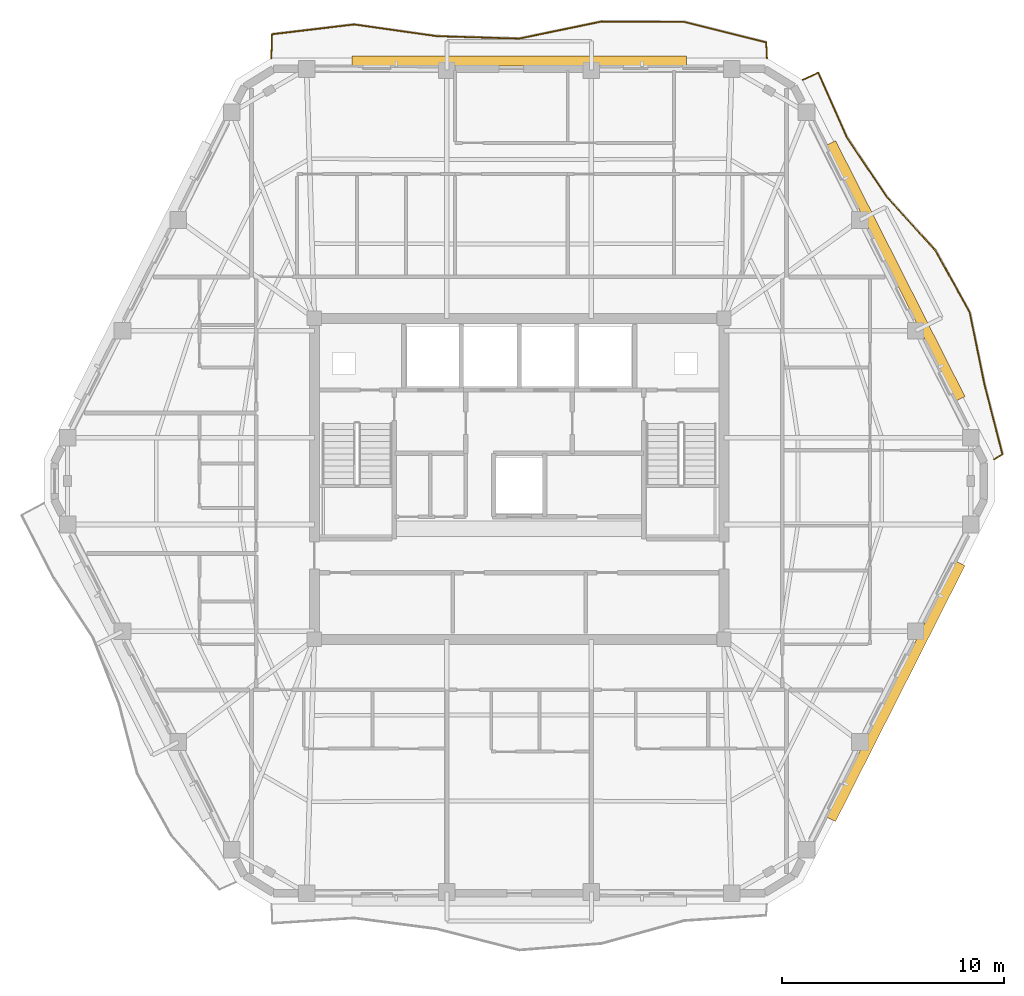
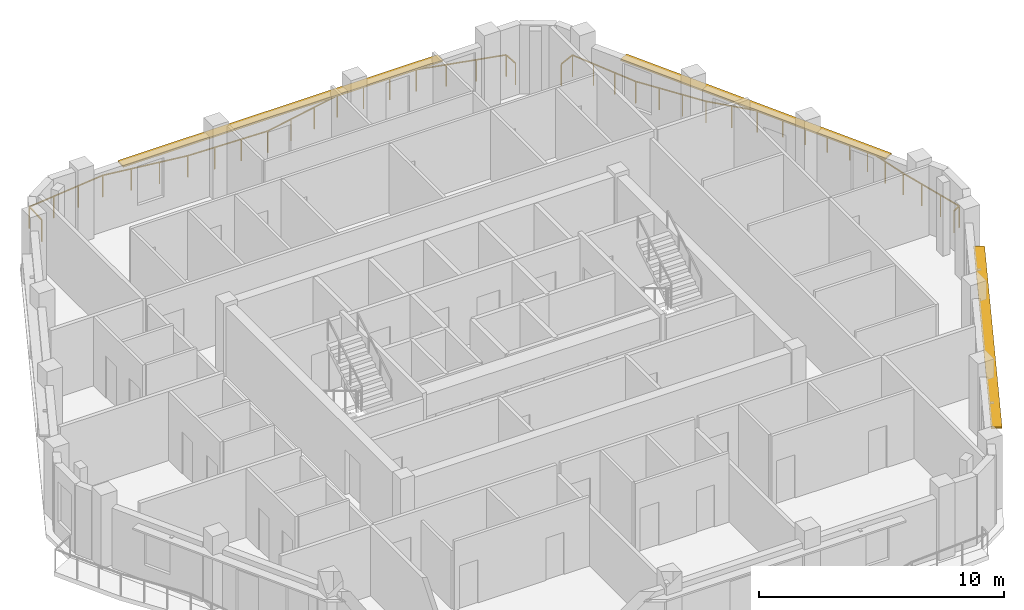
# One storey, part 11 of 11: 3 shading devices, 2 railings.
"""IFC4 building model written with IfcOpenShell, lengths in metres."""

from ifc_helpers import new_model, si_unit, direction, frame, origin, origin_2d, place, context, subcontext, project, spatial, rectangle, extrude, material, layer, layer_set, type_object, element, save


model = new_model("IFC4")

# Units and contexts
model_context = context("Model", 3, precision=1e-05, world=origin(), true_north=direction((0.0, 1.0)))
body_context = subcontext(model_context, "Body", "Model", "MODEL_VIEW")
ifc_project = project(units=[si_unit("LENGTHUNIT", "METRE"), si_unit("AREAUNIT", "SQUARE_METRE"), si_unit("VOLUMEUNIT", "CUBIC_METRE"), si_unit("PLANEANGLEUNIT", "RADIAN"), si_unit("MASSUNIT", "GRAM", prefix="KILO")], contexts=[model_context])

# Site, building, storey
site_placement = place(None, origin())
site = spatial("IfcSite", under=ifc_project, at=site_placement, CompositionType="ELEMENT")
building_placement = place(site_placement, origin())
building = spatial("IfcBuilding", under=site, at=building_placement, Name="Cinnabar Lancet Tower", CompositionType="ELEMENT")
storey_placement = place(building_placement, frame((0.0, 0.0, 241.60009765625)))
storey = spatial("IfcBuildingStorey", under=building, at=storey_placement, Name="L64", CompositionType="ELEMENT", Elevation=241.60009765625)

# Railings
ifc_material_1 = material(Name="Laminated safety glass and bronze stainless steel balustrade", Category="steel")
railing_type = type_object("IfcRailingType", Name="ENV-RLG-BAL-1100", PredefinedType="BALUSTRADE", material=ifc_material_1)
railing_1_placement = place(storey_placement, frame((53.802978515625, 26.781982421875, 0.0)))
element("IfcRailing", 1, at=railing_1_placement, inside=storey, type_object=railing_type, Name="L64 Face 3 Wave Balcony Balustrade", PredefinedType="BALUSTRADE", context=body_context, shape_type="SweptSolid", body=[
    extrude(rectangle(XDim=0.048095703125, YDim=0.048095703125, at=origin_2d()), frame((0.0, 0.0, 1.076171875), z_axis=(0.860938023403, 0.508709858228, 0.0), x_axis=(-0.508709858228, 0.860938023403, 0.0)), (0.0, 0.0, 1.0), 0.4228515625),
    extrude(rectangle(XDim=0.048095703125, YDim=0.048095703125, at=origin_2d()), frame((0.364013671875, 0.215087890625, 1.076171875), z_axis=(-0.248894460802, 0.968530612517, 0.0), x_axis=(-0.968530612517, -0.248894460802, 0.0)), (0.0, 0.0, 1.0), 3.258544921875),
    extrude(rectangle(XDim=0.048095703125, YDim=0.048095703125, at=origin_2d()), frame((-0.447021484375, 3.37109375, 1.076171875), z_axis=(-0.200457621099, 0.979702374266, 0.0), x_axis=(-0.979702374266, -0.200457621099, 0.0)), (0.0, 0.0, 1.0), 3.296875),
    extrude(rectangle(XDim=0.048095703125, YDim=0.048095703125, at=origin_2d()), frame((-1.10791015625, 6.60107421875, 1.076171875), z_axis=(-0.482363350712, 0.8759712312, 0.0), x_axis=(-0.8759712312, -0.482363350712, 0.0)), (0.0, 0.0, 1.0), 3.1826171875),
    extrude(rectangle(XDim=0.048095703125, YDim=0.048095703125, at=origin_2d()), frame((-2.64306640625, 9.388916015625, 1.076171875), z_axis=(-0.671810216095, 0.740723317812, 0.0), x_axis=(-0.740723317812, -0.671810216095, 0.0)), (0.0, 0.0, 1.0), 3.29833984375),
    extrude(rectangle(XDim=0.048095703125, YDim=0.048095703125, at=origin_2d()), frame((-4.85888671875, 11.83203125, 1.076171875), z_axis=(-0.55612358327, 0.83109960903, 0.0), x_axis=(-0.83109960903, -0.55612358327, 0.0)), (0.0, 0.0, 1.0), 3.204345703125),
    extrude(rectangle(XDim=0.048095703125, YDim=0.048095703125, at=origin_2d()), frame((-6.640869140625, 14.4951171875, 1.076171875), z_axis=(-0.406031861537, 0.913858920959, 0.0), x_axis=(-0.913858920959, -0.406031861537, 0.0)), (0.0, 0.0, 1.0), 3.1875),
    extrude(rectangle(XDim=0.048095703125, YDim=0.048095703125, at=origin_2d()), frame((-7.93505859375, 17.407958984375, 1.076171875), z_axis=(-0.910054125697, -0.414489430868, 0.0), x_axis=(0.414489430868, -0.910054125697, 0.0)), (0.0, 0.0, 1.0), 0.77685546875),
    extrude(rectangle(XDim=0.0419921875, YDim=0.0419921875, at=origin_2d()), origin(), (0.0, 0.0, 1.0), 1.052001953125),
    extrude(rectangle(XDim=0.0419921875, YDim=0.0419921875, at=origin_2d()), frame((0.364013671875, 0.215087890625, 0.0)), (0.0, 0.0, 1.0), 1.052001953125),
    extrude(rectangle(XDim=0.0419921875, YDim=0.0419921875, at=origin_2d()), frame((0.09375, 1.26708984375, 0.0)), (0.0, 0.0, 1.0), 1.052001953125),
    extrude(rectangle(XDim=0.0419921875, YDim=0.0419921875, at=origin_2d()), frame((-0.1767578125, 2.319091796875, 0.0)), (0.0, 0.0, 1.0), 1.052001953125),
    extrude(rectangle(XDim=0.0419921875, YDim=0.0419921875, at=origin_2d()), frame((-0.447021484375, 3.37109375, 0.0)), (0.0, 0.0, 1.0), 1.052001953125),
    extrude(rectangle(XDim=0.0419921875, YDim=0.0419921875, at=origin_2d()), frame((-0.667236328125, 4.44775390625, 0.0)), (0.0, 0.0, 1.0), 1.052001953125),
    extrude(rectangle(XDim=0.0419921875, YDim=0.0419921875, at=origin_2d()), frame((-0.8876953125, 5.5244140625, 0.0)), (0.0, 0.0, 1.0), 1.052001953125),
    extrude(rectangle(XDim=0.0419921875, YDim=0.0419921875, at=origin_2d()), frame((-1.10791015625, 6.60107421875, 0.0)), (0.0, 0.0, 1.0), 1.052001953125),
    extrude(rectangle(XDim=0.0419921875, YDim=0.0419921875, at=origin_2d()), frame((-1.61962890625, 7.5302734375, 0.0)), (0.0, 0.0, 1.0), 1.052001953125),
    extrude(rectangle(XDim=0.0419921875, YDim=0.0419921875, at=origin_2d()), frame((-2.13134765625, 8.459716796875, 0.0)), (0.0, 0.0, 1.0), 1.052001953125),
    extrude(rectangle(XDim=0.0419921875, YDim=0.0419921875, at=origin_2d()), frame((-2.64306640625, 9.388916015625, 0.0)), (0.0, 0.0, 1.0), 1.052001953125),
    extrude(rectangle(XDim=0.0419921875, YDim=0.0419921875, at=origin_2d()), frame((-3.381591796875, 10.203369140625, 0.0)), (0.0, 0.0, 1.0), 1.052001953125),
    extrude(rectangle(XDim=0.0419921875, YDim=0.0419921875, at=origin_2d()), frame((-4.120361328125, 11.017578125, 0.0)), (0.0, 0.0, 1.0), 1.052001953125),
    extrude(rectangle(XDim=0.0419921875, YDim=0.0419921875, at=origin_2d()), frame((-4.85888671875, 11.83203125, 0.0)), (0.0, 0.0, 1.0), 1.052001953125),
    extrude(rectangle(XDim=0.0419921875, YDim=0.0419921875, at=origin_2d()), frame((-5.452880859375, 12.7197265625, 0.0)), (0.0, 0.0, 1.0), 1.052001953125),
    extrude(rectangle(XDim=0.0419921875, YDim=0.0419921875, at=origin_2d()), frame((-6.046875, 13.607421875, 0.0)), (0.0, 0.0, 1.0), 1.052001953125),
    extrude(rectangle(XDim=0.0419921875, YDim=0.0419921875, at=origin_2d()), frame((-6.640869140625, 14.4951171875, 0.0)), (0.0, 0.0, 1.0), 1.052001953125),
    extrude(rectangle(XDim=0.0419921875, YDim=0.0419921875, at=origin_2d()), frame((-7.072265625, 15.466064453125, 0.0)), (0.0, 0.0, 1.0), 1.052001953125),
    extrude(rectangle(XDim=0.0419921875, YDim=0.0419921875, at=origin_2d()), frame((-7.503662109375, 16.43701171875, 0.0)), (0.0, 0.0, 1.0), 1.052001953125),
    extrude(rectangle(XDim=0.0419921875, YDim=0.0419921875, at=origin_2d()), frame((-7.93505859375, 17.407958984375, 0.0)), (0.0, 0.0, 1.0), 1.052001953125),
    extrude(rectangle(XDim=0.0419921875, YDim=0.0419921875, at=origin_2d()), frame((-8.64208984375, 17.0859375, 0.0)), (0.0, 0.0, 1.0), 1.052001953125),
])
railing_2_placement = place(storey_placement, frame((43.56396484375, 44.85009765625, 0.0)))
element("IfcRailing", 2, at=railing_2_placement, inside=storey, type_object=railing_type, Name="L64 Face 4 Wave Balcony Balustrade", PredefinedType="BALUSTRADE", context=body_context, shape_type="SweptSolid", body=[
    extrude(rectangle(XDim=0.048095703125, YDim=0.048095703125, at=origin_2d()), frame((0.0, 0.0, 1.076171875), z_axis=(-0.047958568666, 0.99884932582, 0.0), x_axis=(-0.99884932582, -0.047958568666, 0.0)), (0.0, 0.0, 1.0), 0.70751953125),
    extrude(rectangle(XDim=0.048095703125, YDim=0.048095703125, at=origin_2d()), frame((-0.033935546875, 0.706787109375, 1.076171875), z_axis=(-0.970247544179, 0.242115061518, 0.0), x_axis=(-0.242115061518, -0.970247544179, 0.0)), (0.0, 0.0, 1.0), 3.82470703125),
    extrude(rectangle(XDim=0.048095703125, YDim=0.048095703125, at=origin_2d()), frame((-3.744873046875, 1.6328125, 1.076171875), z_axis=(-0.999993686972, 0.003553310462, 0.0), x_axis=(-0.003553310462, -0.999993686972, 0.0)), (0.0, 0.0, 1.0), 3.710205078125),
    extrude(rectangle(XDim=0.048095703125, YDim=0.048095703125, at=origin_2d()), frame((-7.455078125, 1.64599609375, 1.076171875), z_axis=(-0.979173019115, -0.203027580978, 0.0), x_axis=(0.203027580978, -0.979173019115, 0.0)), (0.0, 0.0, 1.0), 3.787841796875),
    extrude(rectangle(XDim=0.048095703125, YDim=0.048095703125, at=origin_2d()), frame((-11.1640625, 0.876953125, 1.076171875), z_axis=(-0.999561360201, 0.029615657894, 0.0), x_axis=(-0.029615657894, -0.999561360201, 0.0)), (0.0, 0.0, 1.0), 3.709716796875),
    extrude(rectangle(XDim=0.048095703125, YDim=0.048095703125, at=origin_2d()), frame((-14.8720703125, 0.98681640625, 1.076171875), z_axis=(-0.990026204767, 0.14088333427, 0.0), x_axis=(-0.14088333427, -0.990026204767, 0.0)), (0.0, 0.0, 1.0), 3.748291015625),
    extrude(rectangle(XDim=0.048095703125, YDim=0.048095703125, at=origin_2d()), frame((-18.5830078125, 1.514892578125, 1.076171875), z_axis=(-0.99301527126, -0.117985893414, 0.0), x_axis=(0.117985893414, -0.99301527126, 0.0)), (0.0, 0.0, 1.0), 3.737060546875),
    extrude(rectangle(XDim=0.048095703125, YDim=0.048095703125, at=origin_2d()), frame((-22.2939453125, 1.073974609375, 1.076171875), z_axis=(-0.03158232789, -0.999501153859, 0.0), x_axis=(0.999501153859, -0.03158232789, 0.0)), (0.0, 0.0, 1.0), 1.074462890625),
    extrude(rectangle(XDim=0.0419921875, YDim=0.0419921875, at=origin_2d()), origin(), (0.0, 0.0, 1.0), 1.052001953125),
    extrude(rectangle(XDim=0.0419921875, YDim=0.0419921875, at=origin_2d()), frame((-0.033935546875, 0.706787109375, 0.0)), (0.0, 0.0, 1.0), 1.052001953125),
    extrude(rectangle(XDim=0.0419921875, YDim=0.0419921875, at=origin_2d()), frame((-1.27099609375, 1.015380859375, 0.0)), (0.0, 0.0, 1.0), 1.052001953125),
    extrude(rectangle(XDim=0.0419921875, YDim=0.0419921875, at=origin_2d()), frame((-2.5078125, 1.32421875, 0.0)), (0.0, 0.0, 1.0), 1.052001953125),
    extrude(rectangle(XDim=0.0419921875, YDim=0.0419921875, at=origin_2d()), frame((-3.744873046875, 1.6328125, 0.0)), (0.0, 0.0, 1.0), 1.052001953125),
    extrude(rectangle(XDim=0.0419921875, YDim=0.0419921875, at=origin_2d()), frame((-4.981689453125, 1.63720703125, 0.0)), (0.0, 0.0, 1.0), 1.052001953125),
    extrude(rectangle(XDim=0.0419921875, YDim=0.0419921875, at=origin_2d()), frame((-6.21826171875, 1.6416015625, 0.0)), (0.0, 0.0, 1.0), 1.052001953125),
    extrude(rectangle(XDim=0.0419921875, YDim=0.0419921875, at=origin_2d()), frame((-7.455078125, 1.64599609375, 0.0)), (0.0, 0.0, 1.0), 1.052001953125),
    extrude(rectangle(XDim=0.0419921875, YDim=0.0419921875, at=origin_2d()), frame((-8.69140625, 1.3896484375, 0.0)), (0.0, 0.0, 1.0), 1.052001953125),
    extrude(rectangle(XDim=0.0419921875, YDim=0.0419921875, at=origin_2d()), frame((-9.927734375, 1.13330078125, 0.0)), (0.0, 0.0, 1.0), 1.052001953125),
    extrude(rectangle(XDim=0.0419921875, YDim=0.0419921875, at=origin_2d()), frame((-11.1640625, 0.876953125, 0.0)), (0.0, 0.0, 1.0), 1.052001953125),
    extrude(rectangle(XDim=0.0419921875, YDim=0.0419921875, at=origin_2d()), frame((-12.400146484375, 0.91357421875, 0.0)), (0.0, 0.0, 1.0), 1.052001953125),
    extrude(rectangle(XDim=0.0419921875, YDim=0.0419921875, at=origin_2d()), frame((-13.635986328125, 0.9501953125, 0.0)), (0.0, 0.0, 1.0), 1.052001953125),
    extrude(rectangle(XDim=0.0419921875, YDim=0.0419921875, at=origin_2d()), frame((-14.8720703125, 0.98681640625, 0.0)), (0.0, 0.0, 1.0), 1.052001953125),
    extrude(rectangle(XDim=0.0419921875, YDim=0.0419921875, at=origin_2d()), frame((-16.109130859375, 1.162841796875, 0.0)), (0.0, 0.0, 1.0), 1.052001953125),
    extrude(rectangle(XDim=0.0419921875, YDim=0.0419921875, at=origin_2d()), frame((-17.345947265625, 1.3388671875, 0.0)), (0.0, 0.0, 1.0), 1.052001953125),
    extrude(rectangle(XDim=0.0419921875, YDim=0.0419921875, at=origin_2d()), frame((-18.5830078125, 1.514892578125, 0.0)), (0.0, 0.0, 1.0), 1.052001953125),
    extrude(rectangle(XDim=0.0419921875, YDim=0.0419921875, at=origin_2d()), frame((-19.820068359375, 1.367919921875, 0.0)), (0.0, 0.0, 1.0), 1.052001953125),
    extrude(rectangle(XDim=0.0419921875, YDim=0.0419921875, at=origin_2d()), frame((-21.056884765625, 1.220947265625, 0.0)), (0.0, 0.0, 1.0), 1.052001953125),
    extrude(rectangle(XDim=0.0419921875, YDim=0.0419921875, at=origin_2d()), frame((-22.2939453125, 1.073974609375, 0.0)), (0.0, 0.0, 1.0), 1.052001953125),
    extrude(rectangle(XDim=0.0419921875, YDim=0.0419921875, at=origin_2d()), frame((-22.327880859375, 0.0, 0.0)), (0.0, 0.0, 1.0), 1.052001953125),
])

# Shading devices
ifc_material_2 = material(Name="Pale limestone architectural aluminium sunshade", Category="masonry")
ifc_layer = layer(ifc_material_2, 0.080078125)
ifc_layer_set = layer_set([ifc_layer], Name="Pale limestone architectural aluminium sunshade")
shading_device_type = type_object("IfcShadingDeviceType", Name="ENV-SHD-LVR-450", PredefinedType="JALOUSIE", material=ifc_layer_set)
for number, where, z_axis, x_axis, name in (
    (3, (49.364013671875, 16.330078125, 2.639892578125), (0.0, 0.0, 1.0), (0.451375984307, 0.89233386173, 0.0), "L64 Face 2 Horizontal Sunshade Canopy"),
    (4, (49.364013671875, 35.27001953125, 2.639892578125), (0.0, 0.0, 1.0), (-0.451375984307, 0.89233386173, 0.0), "L64 Face 3 Horizontal Sunshade Canopy"),
):
    element("IfcShadingDevice", number, at=place(storey_placement, frame(where, z_axis=z_axis, x_axis=x_axis)), inside=storey, type_object=shading_device_type, Name=name, PredefinedType="JALOUSIE", context=body_context, shape_type="SweptSolid", body=[
        extrude(rectangle(XDim=12.912109375, YDim=0.449951171875, at=origin_2d()), origin(), (0.0, 0.0, 1.0), 0.080078125),
    ])
shading_device_placement = place(storey_placement, frame((32.39990234375, 44.719970703125, 2.639892578125), z_axis=(0.0, 0.0, 1.0), x_axis=(-1.0, 0.0, 0.0)))
element("IfcShadingDevice", 5, at=shading_device_placement, inside=storey, type_object=shading_device_type, Name="L64 Face 4 Horizontal Sunshade Canopy", PredefinedType="JALOUSIE", context=body_context, shape_type="SweptSolid", body=[
    extrude(rectangle(XDim=15.06103515625, YDim=0.449951171875, at=origin_2d()), origin(), (0.0, 0.0, 1.0), 0.080078125),
])

save(model, "model.ifc")
